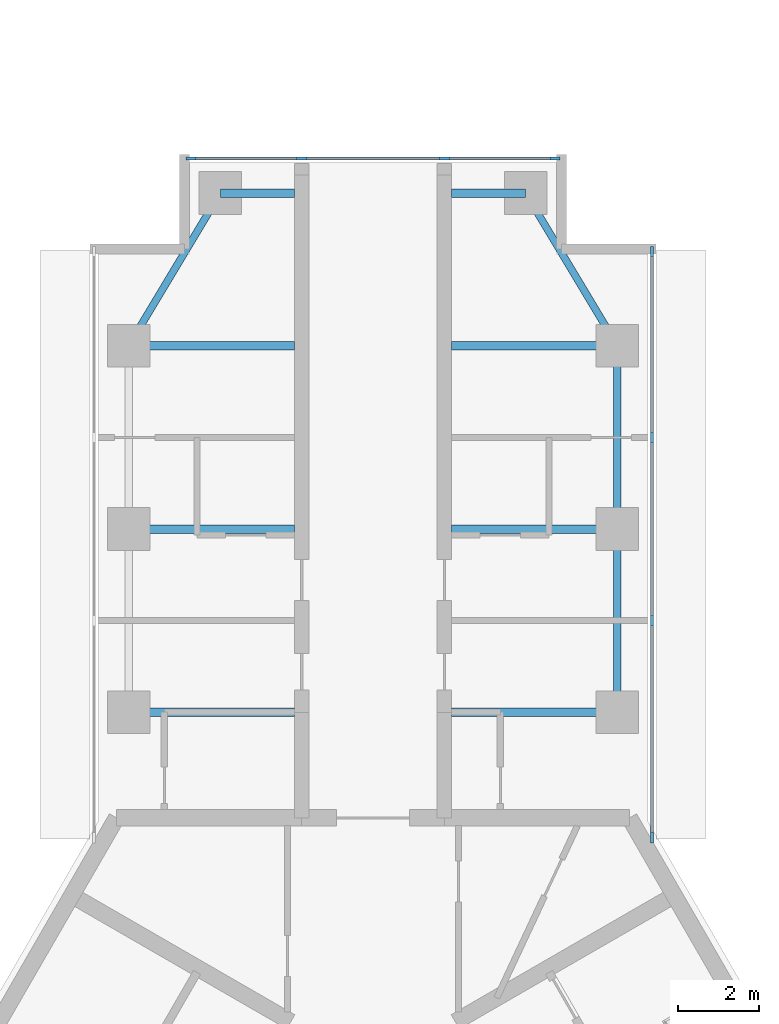
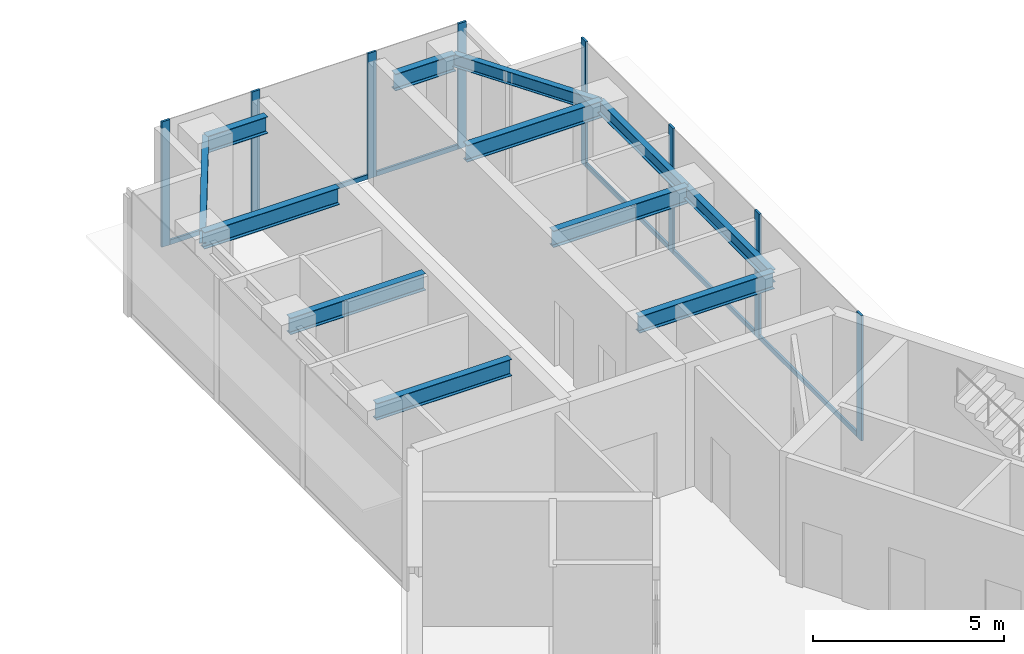
# One storey, part 3 of 11: 14 members, 12 beams, 2 elements without a shape of their own.
"""IFC4 building model written with IfcOpenShell, lengths in metres."""

import ifcopenshell
import ifcopenshell.guid

model = None  # the IFC model being written
_history = None  # IfcOwnerHistory: only IFC2X3 demands one
_inside = {}  # id of a spatial element -> (the spatial element, [elements in it])
_under = {}  # id of a project, library or spatial element -> (it, [spatial elements below it])
_declared = {}  # id of a project -> (the project, [libraries it declares])
_typed = {}  # id of a type object -> (the type object, [elements of that type])
_made_of = {}  # id of a material, layer set ... -> (it, [elements and type objects made of it])


def new_model(schema):
    """Start an empty IFC model of exactly this schema.

    Asked for "IFC4X3", IfcOpenShell would pick the latest addendum, in which some entities
    have other attributes; the version numbers below select the first issue.
    IFC2X3 requires an IfcOwnerHistory on every rooted entity: one is made here for all.
    """
    global model, _history
    if schema == "IFC4X3":
        model = ifcopenshell.file(schema_version=(4, 3, 0, 0))
    else:
        model = ifcopenshell.file(schema=schema)
    _inside.clear()
    _under.clear()
    _declared.clear()
    _typed.clear()
    _made_of.clear()
    _history = None
    if model.schema == "IFC2X3":
        org = make("IfcOrganization", Name="unknown")
        user = make(
            "IfcPersonAndOrganization",
            ThePerson=make("IfcPerson", FamilyName="unknown"),
            TheOrganization=org,
        )
        app = make(
            "IfcApplication",
            ApplicationDeveloper=org,
            Version="unknown",
            ApplicationFullName="unknown",
            ApplicationIdentifier="unknown",
        )
        _history = make(
            "IfcOwnerHistory",
            OwningUser=user,
            OwningApplication=app,
            ChangeAction="ADDED",
            CreationDate=0,
        )
    return model


def make(cls, **values):
    """One entity of the class cls with the attributes given. An attribute that is None is left unset."""
    return model.create_entity(
        cls, **{name: value for name, value in values.items() if value is not None}
    )


def rooted(cls, **values):
    """An entity with a GlobalId (a new one), such as an element, a storey or a relation."""
    return make(cls, GlobalId=ifcopenshell.guid.new(), OwnerHistory=_history, **values)


def si_unit(unit_type, name, prefix=None):
    """IfcSIUnit, for example si_unit("LENGTHUNIT", "METRE", prefix="MILLI")."""
    return make("IfcSIUnit", UnitType=unit_type, Prefix=prefix, Name=name)


def assignment(units):
    """IfcUnitAssignment: the units of a project."""
    return None if units is None else make("IfcUnitAssignment", Units=units)


def point(xyz):
    """IfcCartesianPoint."""
    return None if xyz is None else make("IfcCartesianPoint", Coordinates=xyz)


def direction(xyz):
    """IfcDirection."""
    return None if xyz is None else make("IfcDirection", DirectionRatios=xyz)


def frame(location, z_axis=None, x_axis=None):
    """IfcAxis2Placement3D, a coordinate frame: its origin and axes. An axis left out is left unset."""
    return make(
        "IfcAxis2Placement3D",
        Location=point(location),
        Axis=direction(z_axis),
        RefDirection=direction(x_axis),
    )


def frame_2d(location, x_axis=None):
    """IfcAxis2Placement2D, a coordinate frame in the plane: its origin and x axis."""
    return make(
        "IfcAxis2Placement2D", Location=point(location), RefDirection=direction(x_axis)
    )


def origin():
    """The frame at (0, 0, 0) with its axes left unset."""
    return frame((0.0, 0.0, 0.0))


def origin_2d():
    """The frame at (0, 0) in the plane with its x axis left unset."""
    return frame_2d((0.0, 0.0))


def place(relative_to, where):
    """IfcLocalPlacement: puts the frame where relative to a parent placement (None: the world)."""
    return make(
        "IfcLocalPlacement", PlacementRelTo=relative_to, RelativePlacement=where
    )


def context(
    kind, dimensions, precision=None, world=None, true_north=None, identifier=None
):
    """IfcGeometricRepresentationContext, for example the 3D "Model" context."""
    return make(
        "IfcGeometricRepresentationContext",
        ContextIdentifier=identifier,
        ContextType=kind,
        CoordinateSpaceDimension=dimensions,
        Precision=precision,
        WorldCoordinateSystem=world,
        TrueNorth=true_north,
    )


def subcontext(parent, identifier, kind, view, scale=None):
    """IfcGeometricRepresentationSubContext, for example "Body" below "Model"."""
    return make(
        "IfcGeometricRepresentationSubContext",
        ContextIdentifier=identifier,
        ContextType=kind,
        ParentContext=parent,
        TargetScale=scale,
        TargetView=view,
    )


def project(units=None, contexts=None):
    """IfcProject with its units and contexts."""
    return rooted(
        "IfcProject",
        Name="project",
        RepresentationContexts=contexts,
        UnitsInContext=assignment(units),
    )


def spatial(cls, under=None, at=None, **own):
    """A site, building, storey or space (cls), placed at a placement, below another one or the project."""
    s = rooted(cls, ObjectPlacement=at, **own)
    if under is not None:
        _under.setdefault(under.id(), (under, []))[1].append(s)
    return s


def profile(cls, at=None, kind="AREA", **sizes):
    """A parametric profile (cls). Its sizes go by their IFC names, for example OverallWidth=200.0."""
    return make(cls, ProfileType=kind, Position=at, **sizes)


def rectangle(**sizes):
    """IfcRectangleProfileDef."""
    return profile("IfcRectangleProfileDef", **sizes)


def i_section(**sizes):
    """IfcIShapeProfileDef."""
    return profile("IfcIShapeProfileDef", **sizes)


def extrude(swept, where, along, depth):
    """IfcExtrudedAreaSolid: the profile swept, set in the frame where, extruded along a direction by depth."""
    return make(
        "IfcExtrudedAreaSolid",
        SweptArea=swept,
        Position=where,
        ExtrudedDirection=direction(along),
        Depth=depth,
    )


def shape(context_of_items, identifier, shape_type, items):
    """IfcShapeRepresentation: the items that make up one representation, for example the "Body"."""
    return make(
        "IfcShapeRepresentation",
        ContextOfItems=context_of_items,
        RepresentationIdentifier=identifier,
        RepresentationType=shape_type,
        Items=items,
    )


def material(Name=None, Category=None):
    """IfcMaterial."""
    return make("IfcMaterial", Name=Name, Category=Category)


def material_profile(
    of_material, cross_section, Name=None, Category=None, Priority=None
):
    """IfcMaterialProfile: a cross section and its material."""
    return make(
        "IfcMaterialProfile",
        Name=Name,
        Material=of_material,
        Profile=cross_section,
        Priority=Priority,
        Category=Category,
    )


def profile_set(profiles, Name=None, composite=None):
    """IfcMaterialProfileSet."""
    return make(
        "IfcMaterialProfileSet",
        Name=Name,
        MaterialProfiles=profiles,
        CompositeProfile=composite,
    )


def made_of(thing, what):
    """Note that an element or type object is made of a material, layer set ...; save() writes the relation."""
    if what is not None:
        _made_of.setdefault(what.id(), (what, []))[1].append(thing)
    return thing


def type_object(cls, material=None, **own):
    """A type object (cls), such as IfcWallType, which elements share."""
    return made_of(rooted(cls, **own), material)


def element(
    cls,
    number,
    at=None,
    inside=None,
    cuts=None,
    type_object=None,
    material=None,
    context=None,
    identifier="Body",
    shape_type=None,
    held_by="IfcProductDefinitionShape",
    body=None,
    shapes=None,
    **own,
):
    """One element of the class cls, such as IfcWall. Its Tag is "e" and its number.

    at: its placement. inside: the storey or other place that contains it. cuts: it is an
    opening in that element (IfcRelVoidsElement). A single representation is given by context,
    identifier, shape_type and body (its items); several are given by shapes. held_by: the class
    of the entity that holds the representations. save() writes the other relations.
    """
    e = rooted(cls, Tag="e%d" % number, ObjectPlacement=at, **own)
    if body is not None:
        shapes = [shape(context, identifier, shape_type, body)]
    if shapes is not None:
        e.Representation = make(held_by, Representations=shapes)
    if inside is not None:
        _inside.setdefault(inside.id(), (inside, []))[1].append(e)
    if cuts is not None:
        rooted(
            "IfcRelVoidsElement", RelatingBuildingElement=cuts, RelatedOpeningElement=e
        )
    if type_object is not None:
        _typed.setdefault(type_object.id(), (type_object, []))[1].append(e)
    return made_of(e, material)


def aggregate(whole, parts):
    """IfcRelAggregates: a whole, such as a stair, and the parts it consists of."""
    return rooted("IfcRelAggregates", RelatingObject=whole, RelatedObjects=parts)


def save(model, path):
    """Write the relations noted so far, then the file.

    IfcRelAggregates (storeys below a building ...), IfcRelContainedInSpatialStructure (elements
    in a storey), IfcRelDefinesByType, IfcRelAssociatesMaterial and IfcRelDeclares: one each for
    every whole, place, type object, material and project.
    """
    for whole, parts in _under.values():
        aggregate(whole, parts)
    for where, things in _inside.values():
        rooted(
            "IfcRelContainedInSpatialStructure",
            RelatedElements=things,
            RelatingStructure=where,
        )
    for kind, things in _typed.values():
        rooted("IfcRelDefinesByType", RelatedObjects=things, RelatingType=kind)
    for what, things in _made_of.values():
        rooted("IfcRelAssociatesMaterial", RelatedObjects=things, RelatingMaterial=what)
    for by, libraries in _declared.values():
        rooted("IfcRelDeclares", RelatingContext=by, RelatedDefinitions=libraries)
    model.write(path)


model = new_model("IFC4")

# Units and contexts
model_context = context("Model", 3, precision=1e-05, world=origin(), true_north=direction((0.0, 1.0)))
body_context = subcontext(model_context, "Body", "Model", "MODEL_VIEW")
ifc_project = project(units=[si_unit("LENGTHUNIT", "METRE"), si_unit("AREAUNIT", "SQUARE_METRE"), si_unit("VOLUMEUNIT", "CUBIC_METRE"), si_unit("PLANEANGLEUNIT", "RADIAN"), si_unit("MASSUNIT", "GRAM", prefix="KILO")], contexts=[model_context])

# Site, building, storey
site_placement = place(None, origin())
site = spatial("IfcSite", under=ifc_project, at=site_placement, CompositionType="ELEMENT")
building_placement = place(site_placement, origin())
building = spatial("IfcBuilding", under=site, at=building_placement, Name="Upepo Twin Towers", CompositionType="ELEMENT")
storey_placement = place(building_placement, frame((0.0, 0.0, 263.5)))
storey = spatial("IfcBuildingStorey", under=building, at=storey_placement, Name="L64", CompositionType="ELEMENT", Elevation=263.5)

# Beams
ifc_material_1 = material(Name="Steel S355", Category="steel")
ifc_material_profile_1 = material_profile(ifc_material_1, i_section(OverallWidth=0.177978515625, OverallDepth=0.406494140625, WebThickness=0.0078125, FlangeThickness=0.0126953125, FilletRadius=0.01025390625, at=origin_2d()), Name="UB 406x178x60")
ifc_profile_set_1 = profile_set([ifc_material_profile_1], Name="Steel S355")
beam_type_1 = type_object("IfcBeamType", Name="Beam UB 406x178x60", PredefinedType="BEAM", material=ifc_profile_set_1)
beam_1_placement = place(storey_placement, frame((52.5, 4.5, 3.5966796875), z_axis=(0.514495755428, 0.857492925713, 0.0), x_axis=(-0.857492925713, 0.514495755428, 0.0)))
element("IfcBeam", 1, at=beam_1_placement, inside=storey, type_object=beam_type_1, Name="T2 nose edge beam AL", PredefinedType="BEAM", context=body_context, shape_type="SweptSolid", body=[
    extrude(i_section(OverallWidth=0.177978515625, OverallDepth=0.406494140625, WebThickness=0.0078125, FlangeThickness=0.0126953125, FilletRadius=0.01025390625, at=origin_2d()), origin(), (0.0, 0.0, 1.0), 4.373291015625),
])
for number, where, z_axis, x_axis, name in (
    (2, (64.5, -4.5, 3.5966796875), (0.0, 1.0, 0.0), (-1.0, 0.0, 0.0), "T2 edge beam AR 13.5-18.0"),
    (3, (64.5, 0.0, 3.5966796875), (0.0, 1.0, 0.0), (-1.0, 0.0, 0.0), "T2 edge beam AR 18.0-22.5"),
):
    element("IfcBeam", number, at=place(storey_placement, frame(where, z_axis=z_axis, x_axis=x_axis)), inside=storey, type_object=beam_type_1, Name=name, PredefinedType="BEAM", context=body_context, shape_type="SweptSolid", body=[
        extrude(i_section(OverallWidth=0.177978515625, OverallDepth=0.406494140625, WebThickness=0.0078125, FlangeThickness=0.0126953125, FilletRadius=0.01025390625, at=origin_2d()), origin(), (0.0, 0.0, 1.0), 4.5),
    ])
beam_2_placement = place(storey_placement, frame((64.5, 4.5, 3.5966796875), z_axis=(-0.514495755428, 0.857492925713, 0.0), x_axis=(-0.857492925713, -0.514495755428, 0.0)))
element("IfcBeam", 4, at=beam_2_placement, inside=storey, type_object=beam_type_1, Name="T2 nose edge beam AR", PredefinedType="BEAM", context=body_context, shape_type="SweptSolid", body=[
    extrude(i_section(OverallWidth=0.177978515625, OverallDepth=0.406494140625, WebThickness=0.0078125, FlangeThickness=0.0126953125, FilletRadius=0.01025390625, at=origin_2d()), origin(), (0.0, 0.0, 1.0), 4.373291015625),
])
ifc_material_2 = material(Name="Steel S355", Category="steel")
ifc_material_profile_2 = material_profile(ifc_material_2, i_section(OverallWidth=0.2099609375, OverallDepth=0.53662109375, WebThickness=0.0107421875, FlangeThickness=0.017333984375, FilletRadius=0.0126953125, at=origin_2d()), Name="UB 533x210x101")
ifc_profile_set_2 = profile_set([ifc_material_profile_2], Name="Steel S355")
beam_type_2 = type_object("IfcBeamType", Name="Beam UB 533x210x101", PredefinedType="BEAM", material=ifc_profile_set_2)
for number, where, z_axis, x_axis, name in (
    (5, (54.75, 8.25, 3.53173828125), (1.0, 0.0, 0.0), (0.0, 1.0, 0.0), "T2 nose beam AL"),
    (6, (62.25, 8.25, 3.53173828125), (-1.0, 0.0, 0.0), (0.0, -1.0, 0.0), "T2 nose beam AR"),
):
    element("IfcBeam", number, at=place(storey_placement, frame(where, z_axis=z_axis, x_axis=x_axis)), inside=storey, type_object=beam_type_2, Name=name, PredefinedType="BEAM", context=body_context, shape_type="SweptSolid", body=[
        extrude(i_section(OverallWidth=0.2099609375, OverallDepth=0.53662109375, WebThickness=0.0107421875, FlangeThickness=0.017333984375, FilletRadius=0.0126953125, at=origin_2d()), origin(), (0.0, 0.0, 1.0), 1.824951171875),
    ])
ifc_material_3 = material(Name="Steel S355", Category="steel")
ifc_material_profile_3 = material_profile(ifc_material_3, i_section(OverallWidth=0.209228515625, OverallDepth=0.533203125, WebThickness=0.010009765625, FlangeThickness=0.015625, FilletRadius=0.0126953125, at=origin_2d()), Name="UB 533x210x92")
ifc_profile_set_3 = profile_set([ifc_material_profile_3], Name="Steel S355")
beam_type_3 = type_object("IfcBeamType", Name="Beam UB 533x210x92", PredefinedType="BEAM", material=ifc_profile_set_3)
for number, where, z_axis, x_axis, name in (
    (7, (52.5, -4.5, 3.533447265625), (1.0, 0.0, 0.0), (0.0, 1.0, 0.0), "T2 girder AL at 13.5"),
    (8, (52.5, 0.0, 3.533447265625), (1.0, 0.0, 0.0), (0.0, 1.0, 0.0), "T2 girder AL at 18.0"),
    (9, (52.5, 4.5, 3.533447265625), (1.0, 0.0, 0.0), (0.0, 1.0, 0.0), "T2 girder AL at 22.5"),
    (10, (64.5, -4.5, 3.533447265625), (-1.0, 0.0, 0.0), (0.0, -1.0, 0.0), "T2 girder AR at 13.5"),
    (11, (64.5, 0.0, 3.533447265625), (-1.0, 0.0, 0.0), (0.0, -1.0, 0.0), "T2 girder AR at 18.0"),
    (12, (64.5, 4.5, 3.533447265625), (-1.0, 0.0, 0.0), (0.0, -1.0, 0.0), "T2 girder AR at 22.5"),
):
    element("IfcBeam", number, at=place(storey_placement, frame(where, z_axis=z_axis, x_axis=x_axis)), inside=storey, type_object=beam_type_3, Name=name, PredefinedType="BEAM", context=body_context, shape_type="SweptSolid", body=[
        extrude(i_section(OverallWidth=0.209228515625, OverallDepth=0.533203125, WebThickness=0.010009765625, FlangeThickness=0.015625, FilletRadius=0.0126953125, at=origin_2d()), origin(), (0.0, 0.0, 1.0), 4.074951171875),
    ])

# Curtain wall, members
ifc_material_4 = material(Name="Aluminium and fritted glass", Category="aluminium")
curtain_wall_type = type_object("IfcCurtainWallType", Name="Tower curtain wall TW4, fritted glass", PredefinedType="NOTDEFINED", material=ifc_material_4)
curtain_wall_1_placement = place(storey_placement, origin())
curtain_wall_1 = element("IfcCurtainWall", 13, at=curtain_wall_1_placement, inside=storey, type_object=curtain_wall_type, Name="T2 L64 wing A flank R curtain wall", PredefinedType="NOTDEFINED")
ifc_material_5 = material(Name="Aluminium mullion", Category="aluminium")
ifc_material_profile_4 = material_profile(ifc_material_5, rectangle(XDim=0.06494140625, YDim=0.25, at=origin_2d()), Name="MULLION 65x250")
ifc_profile_set_4 = profile_set([ifc_material_profile_4], Name="Aluminium mullion")
member_type_1 = type_object("IfcMemberType", Name="Mullion 65x250 TW4", PredefinedType="MULLION", material=ifc_profile_set_4)
member_1_placement = place(storey_placement, frame((65.35009765625, 6.8173828125, 0.0), z_axis=(0.0, 0.0, 1.0), x_axis=(1.0, 0.0, 0.0)))
member_1 = element("IfcMember", 14, at=member_1_placement, type_object=member_type_1, Name="T2 L64 wing A flank R curtain wall mullion 1", PredefinedType="MULLION", context=body_context, shape_type="SweptSolid", body=[
    extrude(rectangle(XDim=0.06494140625, YDim=0.25, at=origin_2d()), origin(), (0.0, 0.0, 1.0), 4.0),
])
member_2_placement = place(storey_placement, frame((65.35009765625, 2.25, 0.0), z_axis=(0.0, 0.0, 1.0), x_axis=(1.0, 0.0, 0.0)))
member_2 = element("IfcMember", 15, at=member_2_placement, type_object=member_type_1, Name="T2 L64 wing A flank R curtain wall mullion 2", PredefinedType="MULLION", context=body_context, shape_type="SweptSolid", body=[
    extrude(rectangle(XDim=0.06494140625, YDim=0.25, at=origin_2d()), origin(), (0.0, 0.0, 1.0), 4.0),
])
member_3_placement = place(storey_placement, frame((65.35009765625, -2.25, 0.0), z_axis=(0.0, 0.0, 1.0), x_axis=(1.0, 0.0, 0.0)))
member_3 = element("IfcMember", 16, at=member_3_placement, type_object=member_type_1, Name="T2 L64 wing A flank R curtain wall mullion 3", PredefinedType="MULLION", context=body_context, shape_type="SweptSolid", body=[
    extrude(rectangle(XDim=0.06494140625, YDim=0.25, at=origin_2d()), origin(), (0.0, 0.0, 1.0), 4.0),
])
member_4_placement = place(storey_placement, frame((65.35009765625, -7.580322265625, 0.0), z_axis=(0.0, 0.0, 1.0), x_axis=(1.0, 0.0, 0.0)))
member_4 = element("IfcMember", 17, at=member_4_placement, type_object=member_type_1, Name="T2 L64 wing A flank R curtain wall mullion 4", PredefinedType="MULLION", context=body_context, shape_type="SweptSolid", body=[
    extrude(rectangle(XDim=0.06494140625, YDim=0.25, at=origin_2d()), origin(), (0.0, 0.0, 1.0), 4.0),
])

curtain_wall_2_placement = place(storey_placement, origin())
curtain_wall_2 = element("IfcCurtainWall", 18, at=curtain_wall_2_placement, inside=storey, type_object=curtain_wall_type, Name="T2 L64 wing A nose curtain wall", PredefinedType="NOTDEFINED")
member_5_placement = place(storey_placement, frame((62.967529296875, 9.10009765625, 0.0), z_axis=(0.0, 0.0, 1.0), x_axis=(0.0, -1.0, 0.0)))
member_5 = element("IfcMember", 19, at=member_5_placement, type_object=member_type_1, Name="T2 L64 wing A nose curtain wall mullion 1", PredefinedType="MULLION", context=body_context, shape_type="SweptSolid", body=[
    extrude(rectangle(XDim=0.06494140625, YDim=0.25, at=origin_2d()), origin(), (0.0, 0.0, 1.0), 4.0),
])
member_6_placement = place(storey_placement, frame((60.25, 9.10009765625, 0.0), z_axis=(0.0, 0.0, 1.0), x_axis=(0.0, -1.0, 0.0)))
member_6 = element("IfcMember", 20, at=member_6_placement, type_object=member_type_1, Name="T2 L64 wing A nose curtain wall mullion 2", PredefinedType="MULLION", context=body_context, shape_type="SweptSolid", body=[
    extrude(rectangle(XDim=0.06494140625, YDim=0.25, at=origin_2d()), origin(), (0.0, 0.0, 1.0), 4.0),
])
member_7_placement = place(storey_placement, frame((56.75, 9.10009765625, 0.0), z_axis=(0.0, 0.0, 1.0), x_axis=(0.0, -1.0, 0.0)))
member_7 = element("IfcMember", 21, at=member_7_placement, type_object=member_type_1, Name="T2 L64 wing A nose curtain wall mullion 3", PredefinedType="MULLION", context=body_context, shape_type="SweptSolid", body=[
    extrude(rectangle(XDim=0.06494140625, YDim=0.25, at=origin_2d()), origin(), (0.0, 0.0, 1.0), 4.0),
])
member_8_placement = place(storey_placement, frame((54.032470703125, 9.10009765625, 0.0), z_axis=(0.0, 0.0, 1.0), x_axis=(0.0, -1.0, 0.0)))
member_8 = element("IfcMember", 22, at=member_8_placement, type_object=member_type_1, Name="T2 L64 wing A nose curtain wall mullion 4", PredefinedType="MULLION", context=body_context, shape_type="SweptSolid", body=[
    extrude(rectangle(XDim=0.06494140625, YDim=0.25, at=origin_2d()), origin(), (0.0, 0.0, 1.0), 4.0),
])

# Member
ifc_material_6 = material(Name="Aluminium transom", Category="aluminium")
ifc_material_profile_5 = material_profile(ifc_material_6, rectangle(XDim=0.06494140625, YDim=0.14990234375, at=origin_2d()), Name="TRANSOM 65x150")
ifc_profile_set_5 = profile_set([ifc_material_profile_5], Name="Aluminium transom")
member_type_2 = type_object("IfcMemberType", Name="Transom 65x150 TW4", PredefinedType="USERDEFINED", material=ifc_profile_set_5)
member_9_placement = place(storey_placement, frame((65.35009765625, 6.784912109375, 0.074951171875), z_axis=(0.0, -1.0, 0.0), x_axis=(1.0, 0.0, 0.0)))
member_9 = element("IfcMember", 23, at=member_9_placement, type_object=member_type_2, Name="T2 L64 wing A flank R curtain wall transom 1", ObjectType="TRANSOM", PredefinedType="USERDEFINED", context=body_context, shape_type="SweptSolid", body=[
    extrude(rectangle(XDim=0.06494140625, YDim=0.14990234375, at=origin_2d()), origin(), (0.0, 0.0, 1.0), 4.50244140625),
])

member_10_placement = place(storey_placement, frame((65.35009765625, 2.217529296875, 0.074951171875), z_axis=(0.0, -1.0, 0.0), x_axis=(1.0, 0.0, 0.0)))
member_10 = element("IfcMember", 24, at=member_10_placement, type_object=member_type_2, Name="T2 L64 wing A flank R curtain wall transom 2", ObjectType="TRANSOM", PredefinedType="USERDEFINED", context=body_context, shape_type="SweptSolid", body=[
    extrude(rectangle(XDim=0.06494140625, YDim=0.14990234375, at=origin_2d()), origin(), (0.0, 0.0, 1.0), 4.43505859375),
])

member_11_placement = place(storey_placement, frame((65.35009765625, -2.282470703125, 0.074951171875), z_axis=(0.0, -1.0, 0.0), x_axis=(1.0, 0.0, 0.0)))
member_11 = element("IfcMember", 25, at=member_11_placement, type_object=member_type_2, Name="T2 L64 wing A flank R curtain wall transom 3", ObjectType="TRANSOM", PredefinedType="USERDEFINED", context=body_context, shape_type="SweptSolid", body=[
    extrude(rectangle(XDim=0.06494140625, YDim=0.14990234375, at=origin_2d()), origin(), (0.0, 0.0, 1.0), 5.265380859375),
])

aggregate(curtain_wall_1, [member_1, member_2, member_3, member_4, member_9, member_10, member_11])

member_12_placement = place(storey_placement, frame((62.93505859375, 9.10009765625, 0.074951171875), z_axis=(-1.0, 0.0, 0.0), x_axis=(0.0, -1.0, 0.0)))
member_12 = element("IfcMember", 26, at=member_12_placement, type_object=member_type_2, Name="T2 L64 wing A nose curtain wall transom 1", ObjectType="TRANSOM", PredefinedType="USERDEFINED", context=body_context, shape_type="SweptSolid", body=[
    extrude(rectangle(XDim=0.06494140625, YDim=0.14990234375, at=origin_2d()), origin(), (0.0, 0.0, 1.0), 2.652587890625),
])

member_13_placement = place(storey_placement, frame((60.217529296875, 9.10009765625, 0.074951171875), z_axis=(-1.0, 0.0, 0.0), x_axis=(0.0, -1.0, 0.0)))
member_13 = element("IfcMember", 27, at=member_13_placement, type_object=member_type_2, Name="T2 L64 wing A nose curtain wall transom 2", ObjectType="TRANSOM", PredefinedType="USERDEFINED", context=body_context, shape_type="SweptSolid", body=[
    extrude(rectangle(XDim=0.06494140625, YDim=0.14990234375, at=origin_2d()), origin(), (0.0, 0.0, 1.0), 3.43505859375),
])

member_14_placement = place(storey_placement, frame((56.717529296875, 9.10009765625, 0.074951171875), z_axis=(-1.0, 0.0, 0.0), x_axis=(0.0, -1.0, 0.0)))
member_14 = element("IfcMember", 28, at=member_14_placement, type_object=member_type_2, Name="T2 L64 wing A nose curtain wall transom 3", ObjectType="TRANSOM", PredefinedType="USERDEFINED", context=body_context, shape_type="SweptSolid", body=[
    extrude(rectangle(XDim=0.06494140625, YDim=0.14990234375, at=origin_2d()), origin(), (0.0, 0.0, 1.0), 2.652587890625),
])

aggregate(curtain_wall_2, [member_5, member_6, member_7, member_8, member_12, member_13, member_14])

save(model, "model.ifc")
